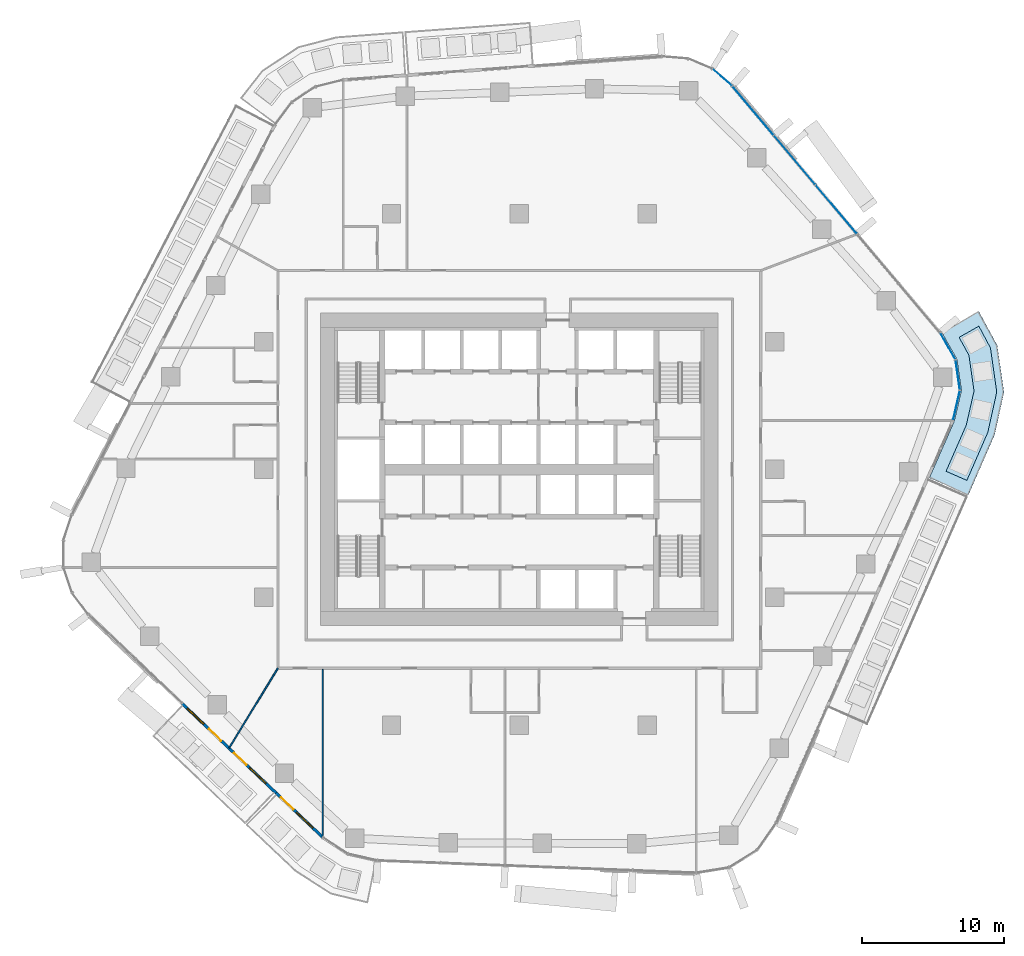
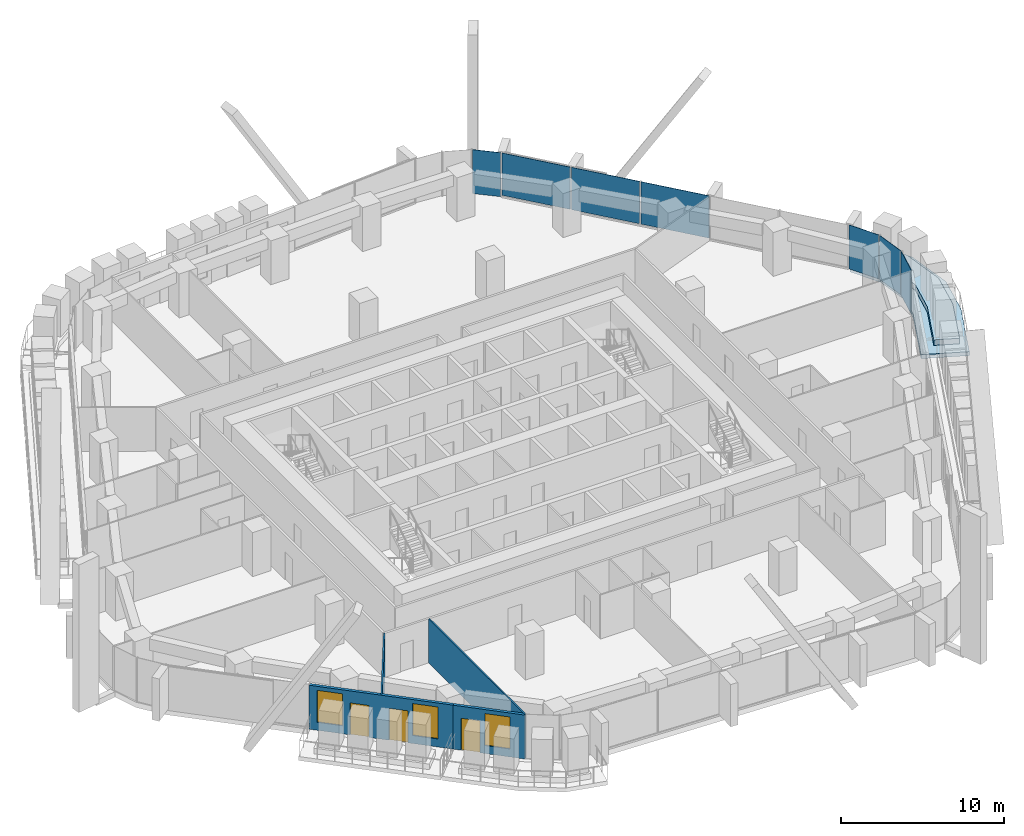
# One storey, part 11 of 24: 7 plates, 4 walls, 3 doors, 3 windows, 2 slabs, 6 openings, 3 elements without a shape of their own.
"""IFC4 building model written with IfcOpenShell, lengths in metres."""

from ifc_helpers import new_model, si_unit, direction, frame, frame_2d, origin, origin_2d, place, context, subcontext, project, spatial, polyline, rectangle, outline, extrude, material, layer, layer_set, type_object, element, fill, aggregate, save


model = new_model("IFC4")

# Units and contexts
model_context = context("Model", 3, precision=1e-05, world=origin(), true_north=direction((0.0, 1.0)))
body_context = subcontext(model_context, "Body", "Model", "MODEL_VIEW")
ifc_project = project(units=[si_unit("LENGTHUNIT", "METRE"), si_unit("AREAUNIT", "SQUARE_METRE"), si_unit("VOLUMEUNIT", "CUBIC_METRE"), si_unit("PLANEANGLEUNIT", "RADIAN"), si_unit("MASSUNIT", "GRAM", prefix="KILO")], contexts=[model_context])

# Site, building, storey
site_placement = place(None, origin())
site = spatial("IfcSite", under=ifc_project, at=site_placement, CompositionType="ELEMENT")
building_placement = place(site_placement, origin())
building = spatial("IfcBuilding", under=site, at=building_placement, Name="Dongbaek Canopy Tower", CompositionType="ELEMENT")
storey_placement = place(building_placement, frame((0.0, 0.0, 128.5)))
storey = spatial("IfcBuildingStorey", under=building, at=storey_placement, Name="L28", CompositionType="ELEMENT", Elevation=128.5)

# Slab
ifc_material_1 = material(Name="Concrete C40/50", Category="concrete")
ifc_layer_1 = layer(ifc_material_1, 0.300048828125)
ifc_layer_set_1 = layer_set([ifc_layer_1], Name="Balcony slab 300")
slab_type_1 = type_object("IfcSlabType", Name="Balcony slab 300", PredefinedType="FLOOR", material=ifc_layer_set_1)
slab_1_placement = place(storey_placement, frame((0.0, 0.0, -0.300048828125)))
element("IfcSlab", 1, at=slab_1_placement, inside=storey, type_object=slab_type_1, Name="Balcony L28 5", PredefinedType="FLOOR", context=body_context, shape_type="SweptSolid", body=[
    extrude(outline(polyline([(28.871337890625, -0.593505859375), (30.62841796875, 3.40673828125), (31.129638671875, 5.565673828125), (30.81298828125, 7.759033203125), (29.746337890625, 9.64453125), (32.357421875, 11.121826171875), (33.652099609375, 8.728759765625), (34.126953125, 5.4384765625), (33.475341796875, 2.460205078125), (31.617919921875, -1.800048828125), (28.871337890625, -0.593505859375)])), origin(), (0.0, 0.0, 1.0), 0.300048828125),
])

# Curtain wall, plates
ifc_material_2 = material(Name="Aluminium 6063-T6 pale anodised", Category="aluminium")
ifc_layer_2 = layer(ifc_material_2, 0.199951171875)
ifc_layer_set_2 = layer_set([ifc_layer_2], Name="CW-1 unitised tower curtain wall")
curtain_wall_type = type_object("IfcCurtainWallType", Name="CW-1 unitised tower curtain wall", PredefinedType="NOTDEFINED", material=ifc_layer_set_2)
curtain_wall_1_placement = place(storey_placement, origin())
curtain_wall_1 = element("IfcCurtainWall", 2, at=curtain_wall_1_placement, inside=storey, type_object=curtain_wall_type, Name="CW-1 curtain wall K0.1", PredefinedType="NOTDEFINED")
ifc_material_3 = material(Name="Clear laminated glass", Category="glass")
ifc_layer_3 = layer(ifc_material_3, 0.028076171875)
ifc_layer_set_3 = layer_set([ifc_layer_3], Name="CW-1 glazed panel 28")
plate_type = type_object("IfcPlateType", Name="CW-1 glazed panel 28", PredefinedType="CURTAIN_PANEL", material=ifc_layer_set_3)
plate_1_placement = place(storey_placement, frame((30.780517578125, 4.504150390625, 0.0), z_axis=(0.0, 0.0, 1.0), x_axis=(0.226165577778, 0.974088872449, 0.0)))
plate_1 = element("IfcPlate", 3, at=plate_1_placement, type_object=plate_type, Name="CW-1 panel K0.1.1.1", PredefinedType="CURTAIN_PANEL", context=body_context, shape_type="SweptSolid", body=[
    extrude(rectangle(XDim=2.104248046875, YDim=0.028076171875, at=origin_2d()), origin(), (0.0, 0.0, 1.0), 3.300048828125),
])
plate_2_placement = place(storey_placement, frame((30.872314453125, 6.64794921875, 0.0), z_axis=(0.0, 0.0, 1.0), x_axis=(-0.142875742295, 0.989740633835, 0.0)))
plate_2 = element("IfcPlate", 4, at=plate_2_placement, type_object=plate_type, Name="CW-1 panel K0.1.2.1", PredefinedType="CURTAIN_PANEL", context=body_context, shape_type="SweptSolid", body=[
    extrude(rectangle(XDim=2.0947265625, YDim=0.028076171875, at=origin_2d()), origin(), (0.0, 0.0, 1.0), 3.300048828125),
])
plate_3_placement = place(storey_placement, frame((30.177978515625, 8.678466796875, 0.0), z_axis=(0.0, 0.0, 1.0), x_axis=(-0.492423599933, 0.870355673405, 0.0)))
plate_3 = element("IfcPlate", 5, at=plate_3_placement, type_object=plate_type, Name="CW-1 panel K0.1.3.1", PredefinedType="CURTAIN_PANEL", context=body_context, shape_type="SweptSolid", body=[
    extrude(rectangle(XDim=2.104248046875, YDim=0.028076171875, at=origin_2d()), origin(), (0.0, 0.0, 1.0), 3.300048828125),
])
aggregate(curtain_wall_1, [plate_1, plate_2, plate_3])

curtain_wall_2_placement = place(storey_placement, origin())
curtain_wall_2 = element("IfcCurtainWall", 6, at=curtain_wall_2_placement, inside=storey, type_object=curtain_wall_type, Name="CW-1 curtain wall F0.1", PredefinedType="NOTDEFINED")
plate_4_placement = place(storey_placement, frame((22.317626953125, 18.312255859375, 0.1201171875), z_axis=(0.0, 0.0, 1.0), x_axis=(-0.644695650519, 0.764439348936, 0.0)))
plate_4 = element("IfcPlate", 7, at=plate_4_placement, type_object=plate_type, Name="CW-1 panel F0.1.3.1", PredefinedType="CURTAIN_PANEL", context=body_context, shape_type="SweptSolid", body=[
    extrude(rectangle(XDim=4.46240234375, YDim=0.028076171875, at=origin_2d()), origin(), (0.0, 0.0, 1.0), 3.179931640625),
])
plate_5_placement = place(storey_placement, frame((19.38671875, 21.78759765625, 0.1201171875), z_axis=(0.0, 0.0, 1.0), x_axis=(-0.644695650519, 0.764439348936, 0.0)))
plate_5 = element("IfcPlate", 8, at=plate_5_placement, type_object=plate_type, Name="CW-1 panel F0.1.4.1", PredefinedType="CURTAIN_PANEL", context=body_context, shape_type="SweptSolid", body=[
    extrude(rectangle(XDim=4.46240234375, YDim=0.028076171875, at=origin_2d()), origin(), (0.0, 0.0, 1.0), 3.179931640625),
])
plate_6_placement = place(storey_placement, frame((16.4580078125, 25.260009765625, 0.1201171875), z_axis=(0.0, 0.0, 1.0), x_axis=(-0.644695650519, 0.764439348936, 0.0)))
plate_6 = element("IfcPlate", 9, at=plate_6_placement, type_object=plate_type, Name="CW-1 panel F0.1.5.1", PredefinedType="CURTAIN_PANEL", context=body_context, shape_type="SweptSolid", body=[
    extrude(rectangle(XDim=4.45458984375, YDim=0.028076171875, at=origin_2d()), origin(), (0.0, 0.0, 1.0), 3.179931640625),
])
aggregate(curtain_wall_2, [plate_4, plate_5, plate_6])

# Curtain wall, plate
curtain_wall_3_placement = place(storey_placement, origin())
curtain_wall_3 = element("IfcCurtainWall", 10, at=curtain_wall_3_placement, inside=storey, type_object=curtain_wall_type, Name="CW-1 curtain wall K1.1", PredefinedType="NOTDEFINED")
plate_7_placement = place(storey_placement, frame((14.29296875, 27.601806640625, 0.0), z_axis=(0.0, 0.0, 1.0), x_axis=(-0.756482468173, 0.654013971829, 0.0)))
plate_7 = element("IfcPlate", 11, at=plate_7_placement, type_object=plate_type, Name="CW-1 panel K1.1.1.1", PredefinedType="CURTAIN_PANEL", context=body_context, shape_type="SweptSolid", body=[
    extrude(rectangle(XDim=1.77197265625, YDim=0.028076171875, at=origin_2d()), origin(), (0.0, 0.0, 1.0), 3.300048828125),
])
aggregate(curtain_wall_3, [plate_7])

# Slab
ifc_material_4 = material(Name="Reinforced concrete C40/50 planter box with soil", Category="concrete")
ifc_layer_4 = layer(ifc_material_4, 0.419921875)
ifc_layer_set_4 = layer_set([ifc_layer_4], Name="Terrace planter box 1600 x 420")
slab_type_2 = type_object("IfcSlabType", Name="Terrace planter box 1600 x 420", PredefinedType="USERDEFINED", material=ifc_layer_set_4)
slab_2_placement = place(storey_placement, origin())
element("IfcSlab", 12, at=slab_2_placement, inside=storey, type_object=slab_type_2, Name="Balcony planter L28 5", ObjectType="PLANTER", PredefinedType="USERDEFINED", context=body_context, shape_type="SweptSolid", body=[
    extrude(outline(polyline([(30.048095703125, -0.12744140625), (31.472900390625, 3.1259765625), (32.018798828125, 5.52783203125), (31.6552734375, 8.046630859375), (30.964111328125, 9.29931640625), (32.356689453125, 10.08740234375), (33.16943359375, 8.56396484375), (33.617431640625, 5.4599609375), (32.9912109375, 2.62109375), (31.512939453125, -0.77099609375), (30.048095703125, -0.12744140625)])), origin(), (0.0, 0.0, 1.0), 0.419921875),
])

# Walls
ifc_material_5 = material(Name="Gypsum board partition, steel stud, 2 x 12.5 mm board", Category="steel")
ifc_layer_5 = layer(ifc_material_5, 0.10009765625)
ifc_layer_set_5 = layer_set([ifc_layer_5], Name="Partition 100 gypsum board")
wall_type_1 = type_object("IfcWallType", Name="Partition 100 gypsum board", PredefinedType="PARTITIONING", material=ifc_layer_set_5)
wall_1_placement = place(storey_placement, frame((-20.42919921875, -19.6083984375, 0.0), z_axis=(0.0, 0.0, 1.0), x_axis=(0.521610739124, 0.853183589171, 0.0)))
element("IfcWall", 13, at=wall_1_placement, inside=storey, type_object=wall_type_1, Name="Partition", PredefinedType="PARTITIONING", context=body_context, shape_type="SweptSolid", body=[
    extrude(rectangle(XDim=6.57373046875, YDim=0.10009765625, at=frame_2d((3.286865234375, 0.0))), origin(), (0.0, 0.0, 1.0), 3.300048828125),
])
wall_2_placement = place(storey_placement, frame((-13.842041015625, -25.875732421875, 0.0), z_axis=(0.0, 0.0, 1.0), x_axis=(0.0, 1.0, 0.0)))
element("IfcWall", 14, at=wall_2_placement, inside=storey, type_object=wall_type_1, Name="Partition", PredefinedType="PARTITIONING", context=body_context, shape_type="SweptSolid", body=[
    extrude(rectangle(XDim=11.80078125, YDim=0.10009765625, at=frame_2d((5.900390625, 0.0))), origin(), (0.0, 0.0, 1.0), 3.300048828125),
])

# Wall, openings, doors, windows
ifc_material_6 = material(Name="Aluminium window wall", Category="aluminium")
ifc_layer_6 = layer(ifc_material_6, 0.199951171875)
ifc_layer_set_6 = layer_set([ifc_layer_6], Name="Window wall 200")
wall_type_2 = type_object("IfcWallType", Name="Window wall 200", PredefinedType="SOLIDWALL", material=ifc_layer_set_6)
wall_3_placement = place(storey_placement, frame((-23.741455078125, -16.484375, 0.0), z_axis=(0.0, 0.0, 1.0), x_axis=(0.724483683082, -0.689291950445, 0.0)))
wall_3 = element("IfcWall", 15, at=wall_3_placement, inside=storey, type_object=wall_type_2, Name="Window wall L28 3", PredefinedType="SOLIDWALL", context=body_context, shape_type="SweptSolid", body=[
    extrude(rectangle(XDim=9.11572265625, YDim=0.199951171875, at=frame_2d((4.557861328125, 0.0))), origin(), (0.0, 0.0, 1.0), 3.300048828125),
])
opening_1_placement = place(wall_3_placement, frame((0.5, 0.0, 0.60009765625)))
opening_1 = element("IfcOpeningElement", 16, at=opening_1_placement, cuts=wall_3, Name="Opening W1", PredefinedType="OPENING", context=body_context, shape_type="SweptSolid", body=[
    extrude(rectangle(XDim=1.60009765625, YDim=2.39990234375, at=frame_2d((0.800048828125, 1.199951171875))), frame((0.0, 0.10986328125, 0.0), z_axis=(0.0, -1.0, 0.0), x_axis=(1.0, 0.0, 0.0)), (0.0, 0.0, 1.0), 0.219970703125),
])
opening_2_placement = place(wall_3_placement, frame((2.60009765625, 0.0, 0.0)))
opening_2 = element("IfcOpeningElement", 17, at=opening_2_placement, cuts=wall_3, Name="Opening L28-B09", PredefinedType="OPENING", context=body_context, shape_type="SweptSolid", body=[
    extrude(rectangle(XDim=1.199951171875, YDim=2.39990234375, at=frame_2d((0.60009765625, 1.199951171875))), frame((0.0, 0.10986328125, 0.0), z_axis=(0.0, -1.0, 0.0), x_axis=(1.0, 0.0, 0.0)), (0.0, 0.0, 1.0), 0.219970703125),
])
opening_3_placement = place(wall_3_placement, frame((6.557861328125, 0.0, 0.60009765625)))
opening_3 = element("IfcOpeningElement", 18, at=opening_3_placement, cuts=wall_3, Name="Opening W1", PredefinedType="OPENING", context=body_context, shape_type="SweptSolid", body=[
    extrude(rectangle(XDim=1.60009765625, YDim=2.39990234375, at=frame_2d((0.800048828125, 1.199951171875))), frame((0.0, 0.10986328125, 0.0), z_axis=(0.0, -1.0, 0.0), x_axis=(1.0, 0.0, 0.0)), (0.0, 0.0, 1.0), 0.219970703125),
])
opening_4_placement = place(wall_3_placement, frame((5.057861328125, 0.0, 0.0)))
opening_4 = element("IfcOpeningElement", 19, at=opening_4_placement, cuts=wall_3, Name="Opening L28-B10", PredefinedType="OPENING", context=body_context, shape_type="SweptSolid", body=[
    extrude(rectangle(XDim=1.199951171875, YDim=2.39990234375, at=frame_2d((0.60009765625, 1.199951171875))), frame((0.0, 0.10986328125, 0.0), z_axis=(0.0, -1.0, 0.0), x_axis=(1.0, 0.0, 0.0)), (0.0, 0.0, 1.0), 0.219970703125),
])
ifc_material_7 = material(Name="Clear glazing in aluminium frame", Category="aluminium")
door_type = type_object("IfcDoorType", Name="Balcony door BD1 1200 x 2400", OperationType="SLIDING_TO_LEFT", PredefinedType="DOOR", material=ifc_material_7)
door_1_placement = place(opening_2_placement, origin())
door_1 = element("IfcDoor", 20, at=door_1_placement, inside=storey, type_object=door_type, Name="Balcony door L28-B09", OperationType="SLIDING_TO_LEFT", OverallHeight=2.39990234375, OverallWidth=1.199951171875, PredefinedType="DOOR", context=body_context, shape_type="SweptSolid", body=[
    extrude(rectangle(XDim=1.199951171875, YDim=2.39990234375, at=frame_2d((0.60009765625, 1.199951171875))), frame((0.0, 0.02490234375, 0.0), z_axis=(0.0, -1.0, 0.0), x_axis=(1.0, 0.0, 0.0)), (0.0, 0.0, 1.0), 0.050048828125),
])
fill(opening_2, door_1)
door_2_placement = place(opening_4_placement, origin())
door_2 = element("IfcDoor", 21, at=door_2_placement, inside=storey, type_object=door_type, Name="Balcony door L28-B10", OperationType="SLIDING_TO_LEFT", OverallHeight=2.39990234375, OverallWidth=1.199951171875, PredefinedType="DOOR", context=body_context, shape_type="SweptSolid", body=[
    extrude(rectangle(XDim=1.199951171875, YDim=2.39990234375, at=frame_2d((0.60009765625, 1.199951171875))), frame((0.0, 0.02490234375, 0.0), z_axis=(0.0, -1.0, 0.0), x_axis=(1.0, 0.0, 0.0)), (0.0, 0.0, 1.0), 0.050048828125),
])
fill(opening_4, door_2)
ifc_material_8 = material(Name="Clear glazing in aluminium frame", Category="aluminium")
window_type = type_object("IfcWindowType", Name="Window W1 1600 x 2400", PartitioningType="SINGLE_PANEL", PredefinedType="WINDOW", material=ifc_material_8)
window_1_placement = place(opening_1_placement, origin())
window_1 = element("IfcWindow", 22, at=window_1_placement, inside=storey, type_object=window_type, Name="Window L28 3.1", OverallHeight=2.39990234375, OverallWidth=1.60009765625, PartitioningType="SINGLE_PANEL", PredefinedType="WINDOW", context=body_context, shape_type="SweptSolid", body=[
    extrude(rectangle(XDim=1.60009765625, YDim=2.39990234375, at=frame_2d((0.800048828125, 1.199951171875))), frame((0.0, 0.030029296875, 0.0), z_axis=(0.0, -1.0, 0.0), x_axis=(1.0, 0.0, 0.0)), (0.0, 0.0, 1.0), 0.06005859375),
])
fill(opening_1, window_1)
window_2_placement = place(opening_3_placement, origin())
window_2 = element("IfcWindow", 23, at=window_2_placement, inside=storey, type_object=window_type, Name="Window L28 3.2", OverallHeight=2.39990234375, OverallWidth=1.60009765625, PartitioningType="SINGLE_PANEL", PredefinedType="WINDOW", context=body_context, shape_type="SweptSolid", body=[
    extrude(rectangle(XDim=1.60009765625, YDim=2.39990234375, at=frame_2d((0.800048828125, 1.199951171875))), frame((0.0, 0.030029296875, 0.0), z_axis=(0.0, -1.0, 0.0), x_axis=(1.0, 0.0, 0.0)), (0.0, 0.0, 1.0), 0.06005859375),
])
fill(opening_3, window_2)

# Wall, openings, door, window
wall_4_placement = place(storey_placement, frame((-17.13720703125, -22.767822265625, 0.0), z_axis=(0.0, 0.0, 1.0), x_axis=(0.724465880686, -0.689310661257, 0.0)))
wall_4 = element("IfcWall", 24, at=wall_4_placement, inside=storey, type_object=wall_type_2, Name="Window wall L28 7", PredefinedType="SOLIDWALL", context=body_context, shape_type="SweptSolid", body=[
    extrude(rectangle(XDim=4.548828125, YDim=0.199951171875, at=frame_2d((2.2744140625, 0.0))), origin(), (0.0, 0.0, 1.0), 3.300048828125),
])
opening_5_placement = place(wall_4_placement, frame((2.0, 0.0, 0.60009765625)))
opening_5 = element("IfcOpeningElement", 25, at=opening_5_placement, cuts=wall_4, Name="Opening W1", PredefinedType="OPENING", context=body_context, shape_type="SweptSolid", body=[
    extrude(rectangle(XDim=1.60009765625, YDim=2.39990234375, at=frame_2d((0.800048828125, 1.199951171875))), frame((0.0, 0.10986328125, 0.0), z_axis=(0.0, -1.0, 0.0), x_axis=(1.0, 0.0, 0.0)), (0.0, 0.0, 1.0), 0.219970703125),
])
opening_6_placement = place(wall_4_placement, frame((0.5, 0.0, 0.0)))
opening_6 = element("IfcOpeningElement", 26, at=opening_6_placement, cuts=wall_4, Name="Opening L28-B11", PredefinedType="OPENING", context=body_context, shape_type="SweptSolid", body=[
    extrude(rectangle(XDim=1.199951171875, YDim=2.39990234375, at=frame_2d((0.60009765625, 1.199951171875))), frame((0.0, 0.10986328125, 0.0), z_axis=(0.0, -1.0, 0.0), x_axis=(1.0, 0.0, 0.0)), (0.0, 0.0, 1.0), 0.219970703125),
])
door_3_placement = place(opening_6_placement, origin())
door_3 = element("IfcDoor", 27, at=door_3_placement, inside=storey, type_object=door_type, Name="Balcony door L28-B11", OperationType="SLIDING_TO_LEFT", OverallHeight=2.39990234375, OverallWidth=1.199951171875, PredefinedType="DOOR", context=body_context, shape_type="SweptSolid", body=[
    extrude(rectangle(XDim=1.199951171875, YDim=2.39990234375, at=frame_2d((0.60009765625, 1.199951171875))), frame((0.0, 0.02490234375, 0.0), z_axis=(0.0, -1.0, 0.0), x_axis=(1.0, 0.0, 0.0)), (0.0, 0.0, 1.0), 0.050048828125),
])
fill(opening_6, door_3)
window_3_placement = place(opening_5_placement, origin())
window_3 = element("IfcWindow", 28, at=window_3_placement, inside=storey, type_object=window_type, Name="Window L28 7.1", OverallHeight=2.39990234375, OverallWidth=1.60009765625, PartitioningType="SINGLE_PANEL", PredefinedType="WINDOW", context=body_context, shape_type="SweptSolid", body=[
    extrude(rectangle(XDim=1.60009765625, YDim=2.39990234375, at=frame_2d((0.800048828125, 1.199951171875))), frame((0.0, 0.030029296875, 0.0), z_axis=(0.0, -1.0, 0.0), x_axis=(1.0, 0.0, 0.0)), (0.0, 0.0, 1.0), 0.06005859375),
])
fill(opening_5, window_3)

save(model, "model.ifc")
